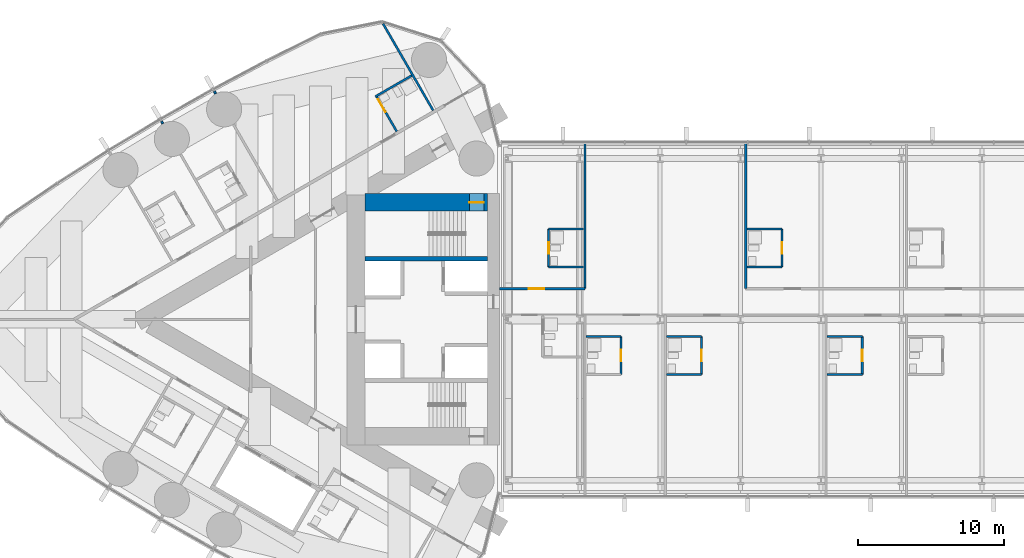
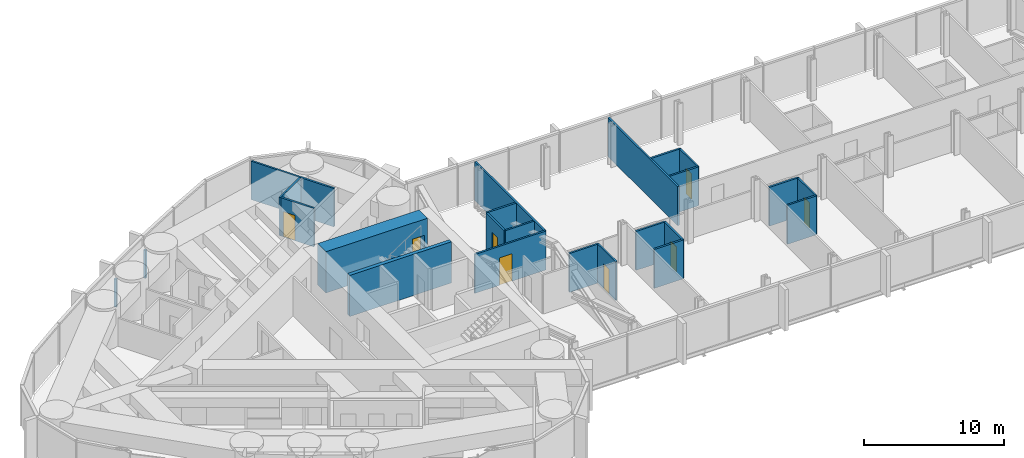
# One storey, part 17 of 24: 24 walls, 8 doors, 8 openings.
"""IFC4 building model written with IfcOpenShell, lengths in metres."""

import ifcopenshell
import ifcopenshell.guid

model = None  # the IFC model being written
_history = None  # IfcOwnerHistory: only IFC2X3 demands one
_inside = {}  # id of a spatial element -> (the spatial element, [elements in it])
_under = {}  # id of a project, library or spatial element -> (it, [spatial elements below it])
_declared = {}  # id of a project -> (the project, [libraries it declares])
_typed = {}  # id of a type object -> (the type object, [elements of that type])
_made_of = {}  # id of a material, layer set ... -> (it, [elements and type objects made of it])


def new_model(schema):
    """Start an empty IFC model of exactly this schema.

    Asked for "IFC4X3", IfcOpenShell would pick the latest addendum, in which some entities
    have other attributes; the version numbers below select the first issue.
    IFC2X3 requires an IfcOwnerHistory on every rooted entity: one is made here for all.
    """
    global model, _history
    if schema == "IFC4X3":
        model = ifcopenshell.file(schema_version=(4, 3, 0, 0))
    else:
        model = ifcopenshell.file(schema=schema)
    _inside.clear()
    _under.clear()
    _declared.clear()
    _typed.clear()
    _made_of.clear()
    _history = None
    if model.schema == "IFC2X3":
        org = make("IfcOrganization", Name="unknown")
        user = make(
            "IfcPersonAndOrganization",
            ThePerson=make("IfcPerson", FamilyName="unknown"),
            TheOrganization=org,
        )
        app = make(
            "IfcApplication",
            ApplicationDeveloper=org,
            Version="unknown",
            ApplicationFullName="unknown",
            ApplicationIdentifier="unknown",
        )
        _history = make(
            "IfcOwnerHistory",
            OwningUser=user,
            OwningApplication=app,
            ChangeAction="ADDED",
            CreationDate=0,
        )
    return model


def make(cls, **values):
    """One entity of the class cls with the attributes given. An attribute that is None is left unset."""
    return model.create_entity(
        cls, **{name: value for name, value in values.items() if value is not None}
    )


def rooted(cls, **values):
    """An entity with a GlobalId (a new one), such as an element, a storey or a relation."""
    return make(cls, GlobalId=ifcopenshell.guid.new(), OwnerHistory=_history, **values)


def si_unit(unit_type, name, prefix=None):
    """IfcSIUnit, for example si_unit("LENGTHUNIT", "METRE", prefix="MILLI")."""
    return make("IfcSIUnit", UnitType=unit_type, Prefix=prefix, Name=name)


def assignment(units):
    """IfcUnitAssignment: the units of a project."""
    return None if units is None else make("IfcUnitAssignment", Units=units)


def point(xyz):
    """IfcCartesianPoint."""
    return None if xyz is None else make("IfcCartesianPoint", Coordinates=xyz)


def direction(xyz):
    """IfcDirection."""
    return None if xyz is None else make("IfcDirection", DirectionRatios=xyz)


def frame(location, z_axis=None, x_axis=None):
    """IfcAxis2Placement3D, a coordinate frame: its origin and axes. An axis left out is left unset."""
    return make(
        "IfcAxis2Placement3D",
        Location=point(location),
        Axis=direction(z_axis),
        RefDirection=direction(x_axis),
    )


def frame_2d(location, x_axis=None):
    """IfcAxis2Placement2D, a coordinate frame in the plane: its origin and x axis."""
    return make(
        "IfcAxis2Placement2D", Location=point(location), RefDirection=direction(x_axis)
    )


def origin():
    """The frame at (0, 0, 0) with its axes left unset."""
    return frame((0.0, 0.0, 0.0))


def place(relative_to, where):
    """IfcLocalPlacement: puts the frame where relative to a parent placement (None: the world)."""
    return make(
        "IfcLocalPlacement", PlacementRelTo=relative_to, RelativePlacement=where
    )


def context(
    kind, dimensions, precision=None, world=None, true_north=None, identifier=None
):
    """IfcGeometricRepresentationContext, for example the 3D "Model" context."""
    return make(
        "IfcGeometricRepresentationContext",
        ContextIdentifier=identifier,
        ContextType=kind,
        CoordinateSpaceDimension=dimensions,
        Precision=precision,
        WorldCoordinateSystem=world,
        TrueNorth=true_north,
    )


def subcontext(parent, identifier, kind, view, scale=None):
    """IfcGeometricRepresentationSubContext, for example "Body" below "Model"."""
    return make(
        "IfcGeometricRepresentationSubContext",
        ContextIdentifier=identifier,
        ContextType=kind,
        ParentContext=parent,
        TargetScale=scale,
        TargetView=view,
    )


def project(units=None, contexts=None):
    """IfcProject with its units and contexts."""
    return rooted(
        "IfcProject",
        Name="project",
        RepresentationContexts=contexts,
        UnitsInContext=assignment(units),
    )


def spatial(cls, under=None, at=None, **own):
    """A site, building, storey or space (cls), placed at a placement, below another one or the project."""
    s = rooted(cls, ObjectPlacement=at, **own)
    if under is not None:
        _under.setdefault(under.id(), (under, []))[1].append(s)
    return s


def profile(cls, at=None, kind="AREA", **sizes):
    """A parametric profile (cls). Its sizes go by their IFC names, for example OverallWidth=200.0."""
    return make(cls, ProfileType=kind, Position=at, **sizes)


def rectangle(**sizes):
    """IfcRectangleProfileDef."""
    return profile("IfcRectangleProfileDef", **sizes)


def extrude(swept, where, along, depth):
    """IfcExtrudedAreaSolid: the profile swept, set in the frame where, extruded along a direction by depth."""
    return make(
        "IfcExtrudedAreaSolid",
        SweptArea=swept,
        Position=where,
        ExtrudedDirection=direction(along),
        Depth=depth,
    )


def shape(context_of_items, identifier, shape_type, items):
    """IfcShapeRepresentation: the items that make up one representation, for example the "Body"."""
    return make(
        "IfcShapeRepresentation",
        ContextOfItems=context_of_items,
        RepresentationIdentifier=identifier,
        RepresentationType=shape_type,
        Items=items,
    )


def material(Name=None, Category=None):
    """IfcMaterial."""
    return make("IfcMaterial", Name=Name, Category=Category)


def layer(
    of_material, thickness, ventilated=None, Name=None, Category=None, Priority=None
):
    """IfcMaterialLayer: one layer of a wall or slab, of a material (None: an air gap)."""
    return make(
        "IfcMaterialLayer",
        Material=of_material,
        LayerThickness=thickness,
        IsVentilated=ventilated,
        Name=Name,
        Category=Category,
        Priority=Priority,
    )


def layer_set(layers, Name=None):
    """IfcMaterialLayerSet."""
    return make("IfcMaterialLayerSet", MaterialLayers=layers, LayerSetName=Name)


def made_of(thing, what):
    """Note that an element or type object is made of a material, layer set ...; save() writes the relation."""
    if what is not None:
        _made_of.setdefault(what.id(), (what, []))[1].append(thing)
    return thing


def type_object(cls, material=None, **own):
    """A type object (cls), such as IfcWallType, which elements share."""
    return made_of(rooted(cls, **own), material)


def element(
    cls,
    number,
    at=None,
    inside=None,
    cuts=None,
    type_object=None,
    material=None,
    context=None,
    identifier="Body",
    shape_type=None,
    held_by="IfcProductDefinitionShape",
    body=None,
    shapes=None,
    **own,
):
    """One element of the class cls, such as IfcWall. Its Tag is "e" and its number.

    at: its placement. inside: the storey or other place that contains it. cuts: it is an
    opening in that element (IfcRelVoidsElement). A single representation is given by context,
    identifier, shape_type and body (its items); several are given by shapes. held_by: the class
    of the entity that holds the representations. save() writes the other relations.
    """
    e = rooted(cls, Tag="e%d" % number, ObjectPlacement=at, **own)
    if body is not None:
        shapes = [shape(context, identifier, shape_type, body)]
    if shapes is not None:
        e.Representation = make(held_by, Representations=shapes)
    if inside is not None:
        _inside.setdefault(inside.id(), (inside, []))[1].append(e)
    if cuts is not None:
        rooted(
            "IfcRelVoidsElement", RelatingBuildingElement=cuts, RelatedOpeningElement=e
        )
    if type_object is not None:
        _typed.setdefault(type_object.id(), (type_object, []))[1].append(e)
    return made_of(e, material)


def fill(opening, filler):
    """IfcRelFillsElement: the door or window that sits in an opening."""
    return rooted(
        "IfcRelFillsElement",
        RelatingOpeningElement=opening,
        RelatedBuildingElement=filler,
    )


def aggregate(whole, parts):
    """IfcRelAggregates: a whole, such as a stair, and the parts it consists of."""
    return rooted("IfcRelAggregates", RelatingObject=whole, RelatedObjects=parts)


def save(model, path):
    """Write the relations noted so far, then the file.

    IfcRelAggregates (storeys below a building ...), IfcRelContainedInSpatialStructure (elements
    in a storey), IfcRelDefinesByType, IfcRelAssociatesMaterial and IfcRelDeclares: one each for
    every whole, place, type object, material and project.
    """
    for whole, parts in _under.values():
        aggregate(whole, parts)
    for where, things in _inside.values():
        rooted(
            "IfcRelContainedInSpatialStructure",
            RelatedElements=things,
            RelatingStructure=where,
        )
    for kind, things in _typed.values():
        rooted("IfcRelDefinesByType", RelatedObjects=things, RelatingType=kind)
    for what, things in _made_of.values():
        rooted("IfcRelAssociatesMaterial", RelatedObjects=things, RelatingMaterial=what)
    for by, libraries in _declared.values():
        rooted("IfcRelDeclares", RelatingContext=by, RelatedDefinitions=libraries)
    model.write(path)


model = new_model("IFC4")

# Units and contexts
model_context = context("Model", 3, precision=1e-05, world=origin(), true_north=direction((0.0, 1.0)))
body_context = subcontext(model_context, "Body", "Model", "MODEL_VIEW")
ifc_project = project(units=[si_unit("LENGTHUNIT", "METRE"), si_unit("AREAUNIT", "SQUARE_METRE"), si_unit("VOLUMEUNIT", "CUBIC_METRE"), si_unit("PLANEANGLEUNIT", "RADIAN"), si_unit("MASSUNIT", "GRAM", prefix="KILO")], contexts=[model_context])

# Site, building, storey
site_placement = place(None, origin())
site = spatial("IfcSite", under=ifc_project, at=site_placement, CompositionType="ELEMENT")
building_placement = place(site_placement, origin())
building = spatial("IfcBuilding", under=site, at=building_placement, Name="Lancet Gate Hotel", CompositionType="ELEMENT")
storey_placement = place(building_placement, frame((0.0, 0.0, 244.10009765625)))
storey = spatial("IfcBuildingStorey", under=building, at=storey_placement, Name="L65", CompositionType="ELEMENT", Elevation=244.10009765625)

# Wall
ifc_material_1 = material(Name="Moisture resistant board partition")
ifc_layer_1 = layer(ifc_material_1, 0.14990234375)
ifc_layer_set_1 = layer_set([ifc_layer_1], Name="Bathroom wall 150")
wall_type_1 = type_object("IfcWallType", Name="Bathroom wall 150", PredefinedType="PARTITIONING", material=ifc_layer_set_1)
wall_1_placement = place(storey_placement, frame((-33.486572265625, 16.6748046875, 0.0), z_axis=(0.0, 0.0, 1.0), x_axis=(-0.866039941686, -0.499974818771, 0.0)))
element("IfcWall", 1, at=wall_1_placement, inside=storey, type_object=wall_type_1, Name="T1 bathroom wall 150 L65", PredefinedType="PARTITIONING", context=body_context, shape_type="SweptSolid", body=[
    extrude(rectangle(XDim=2.875244140625, YDim=0.14990234375, at=frame_2d((1.4375, 0.0))), origin(), (0.0, 0.0, 1.0), 3.349853515625),
])

# Wall, opening, door
wall_2_placement = place(storey_placement, frame((-34.511474609375, 12.849853515625, 0.0), z_axis=(0.0, 0.0, 1.0), x_axis=(-0.500011755427, 0.866018616679, 0.0)))
wall_2 = element("IfcWall", 2, at=wall_2_placement, inside=storey, type_object=wall_type_1, Name="T1 bathroom wall 150 L65", PredefinedType="PARTITIONING", context=body_context, shape_type="SweptSolid", body=[
    extrude(rectangle(XDim=2.80029296875, YDim=0.14990234375, at=frame_2d((1.400146484375, 0.0))), origin(), (0.0, 0.0, 1.0), 3.349853515625),
])
opening_1_placement = place(wall_2_placement, frame((1.550048828125, 0.0, 0.0)))
opening_1 = element("IfcOpeningElement", 3, at=opening_1_placement, cuts=wall_2, Name="Opening 6502-B", PredefinedType="OPENING", context=body_context, shape_type="SweptSolid", body=[
    extrude(rectangle(XDim=1.0, YDim=2.199951171875, at=frame_2d((0.5, 1.10009765625))), frame((0.0, 0.0849609375, 0.0), z_axis=(0.0, -1.0, 0.0), x_axis=(1.0, 0.0, 0.0)), (0.0, 0.0, 1.0), 0.169921875),
])
ifc_material_2 = material(Name="Timber door set", Category="wood")
door_type_1 = type_object("IfcDoorType", Name="Accessible en-suite door 1000", OperationType="SINGLE_SWING_RIGHT", PredefinedType="DOOR", material=ifc_material_2)
door_1_placement = place(opening_1_placement, origin())
door_1 = element("IfcDoor", 4, at=door_1_placement, inside=storey, type_object=door_type_1, Name="6502-B", OperationType="SINGLE_SWING_RIGHT", OverallHeight=2.199951171875, OverallWidth=1.0, PredefinedType="DOOR", context=body_context, shape_type="SweptSolid", body=[
    extrude(rectangle(XDim=1.0, YDim=2.199951171875, at=frame_2d((0.5, 1.10009765625))), frame((0.0, 0.02490234375, 0.0), z_axis=(0.0, -1.0, 0.0), x_axis=(1.0, 0.0, 0.0)), (0.0, 0.0, 1.0), 0.050048828125),
])
fill(opening_1, door_1)

# Wall
wall_3_placement = place(storey_placement, frame((-21.574951171875, -1.175048828125, 0.0), z_axis=(0.0, 0.0, 1.0), x_axis=(1.0, 0.0, 0.0)))
element("IfcWall", 5, at=wall_3_placement, inside=storey, type_object=wall_type_1, Name="Bridge block bathroom wall 150 L65", PredefinedType="PARTITIONING", context=body_context, shape_type="SweptSolid", body=[
    extrude(rectangle(XDim=2.39990234375, YDim=0.14990234375, at=frame_2d((1.199951171875, 0.0))), origin(), (0.0, 0.0, 1.0), 3.39990234375),
])

# Wall, opening, door
wall_4_placement = place(storey_placement, frame((-19.175048828125, -3.77490234375, 0.0), z_axis=(0.0, 0.0, 1.0), x_axis=(0.0, 1.0, 0.0)))
wall_4 = element("IfcWall", 6, at=wall_4_placement, inside=storey, type_object=wall_type_1, Name="Bridge block bathroom wall 150 L65", PredefinedType="PARTITIONING", context=body_context, shape_type="SweptSolid", body=[
    extrude(rectangle(XDim=2.599853515625, YDim=0.14990234375, at=frame_2d((1.2998046875, 0.0))), origin(), (0.0, 0.0, 1.0), 3.39990234375),
])
opening_2_placement = place(wall_4_placement, frame((0.89990234375, 0.0, 0.0)))
opening_2 = element("IfcOpeningElement", 7, at=opening_2_placement, cuts=wall_4, Name="Opening B6502-B", PredefinedType="OPENING", context=body_context, shape_type="SweptSolid", body=[
    extrude(rectangle(XDim=0.800048828125, YDim=2.199951171875, at=frame_2d((0.39990234375, 1.10009765625))), frame((0.0, 0.0849609375, 0.0), z_axis=(0.0, -1.0, 0.0), x_axis=(1.0, 0.0, 0.0)), (0.0, 0.0, 1.0), 0.169921875),
])
ifc_material_3 = material(Name="Timber door set", Category="wood")
door_type_2 = type_object("IfcDoorType", Name="Bathroom door 800", OperationType="SINGLE_SWING_RIGHT", PredefinedType="DOOR", material=ifc_material_3)
door_2_placement = place(opening_2_placement, origin())
door_2 = element("IfcDoor", 8, at=door_2_placement, inside=storey, type_object=door_type_2, Name="B6502-B", OperationType="SINGLE_SWING_RIGHT", OverallHeight=2.199951171875, OverallWidth=0.800048828125, PredefinedType="DOOR", context=body_context, shape_type="SweptSolid", body=[
    extrude(rectangle(XDim=0.800048828125, YDim=2.199951171875, at=frame_2d((0.39990234375, 1.10009765625))), frame((0.0, 0.02490234375, 0.0), z_axis=(0.0, -1.0, 0.0), x_axis=(1.0, 0.0, 0.0)), (0.0, 0.0, 1.0), 0.050048828125),
])
fill(opening_2, door_2)

# Walls
for number, where, z_axis, x_axis, name in (
    (9, (-16.074951171875, -3.77490234375, 0.0), (0.0, 0.0, 1.0), (1.0, 0.0, 0.0), "Bridge block bathroom wall 150 L65"),
    (10, (-16.074951171875, -1.175048828125, 0.0), (0.0, 0.0, 1.0), (1.0, 0.0, 0.0), "Bridge block bathroom wall 150 L65"),
):
    element("IfcWall", number, at=place(storey_placement, frame(where, z_axis=z_axis, x_axis=x_axis)), inside=storey, type_object=wall_type_1, Name=name, PredefinedType="PARTITIONING", context=body_context, shape_type="SweptSolid", body=[
        extrude(rectangle(XDim=2.39990234375, YDim=0.14990234375, at=frame_2d((1.199951171875, 0.0))), origin(), (0.0, 0.0, 1.0), 3.39990234375),
    ])

# Wall, opening, door
wall_5_placement = place(storey_placement, frame((-13.675048828125, -3.77490234375, 0.0), z_axis=(0.0, 0.0, 1.0), x_axis=(0.0, 1.0, 0.0)))
wall_5 = element("IfcWall", 11, at=wall_5_placement, inside=storey, type_object=wall_type_1, Name="Bridge block bathroom wall 150 L65", PredefinedType="PARTITIONING", context=body_context, shape_type="SweptSolid", body=[
    extrude(rectangle(XDim=2.599853515625, YDim=0.14990234375, at=frame_2d((1.2998046875, 0.0))), origin(), (0.0, 0.0, 1.0), 3.39990234375),
])
opening_3_placement = place(wall_5_placement, frame((0.89990234375, 0.0, 0.0)))
opening_3 = element("IfcOpeningElement", 12, at=opening_3_placement, cuts=wall_5, Name="Opening B6503-B", PredefinedType="OPENING", context=body_context, shape_type="SweptSolid", body=[
    extrude(rectangle(XDim=0.800048828125, YDim=2.199951171875, at=frame_2d((0.39990234375, 1.10009765625))), frame((0.0, 0.0849609375, 0.0), z_axis=(0.0, -1.0, 0.0), x_axis=(1.0, 0.0, 0.0)), (0.0, 0.0, 1.0), 0.169921875),
])
door_3_placement = place(opening_3_placement, origin())
door_3 = element("IfcDoor", 13, at=door_3_placement, inside=storey, type_object=door_type_2, Name="B6503-B", OperationType="SINGLE_SWING_RIGHT", OverallHeight=2.199951171875, OverallWidth=0.800048828125, PredefinedType="DOOR", context=body_context, shape_type="SweptSolid", body=[
    extrude(rectangle(XDim=0.800048828125, YDim=2.199951171875, at=frame_2d((0.39990234375, 1.10009765625))), frame((0.0, 0.02490234375, 0.0), z_axis=(0.0, -1.0, 0.0), x_axis=(1.0, 0.0, 0.0)), (0.0, 0.0, 1.0), 0.050048828125),
])
fill(opening_3, door_3)

# Walls
for number, where, z_axis, x_axis, name in (
    (14, (-5.074951171875, -3.77490234375, 0.0), (0.0, 0.0, 1.0), (1.0, 0.0, 0.0), "Bridge block bathroom wall 150 L65"),
    (15, (-5.074951171875, -1.175048828125, 0.0), (0.0, 0.0, 1.0), (1.0, 0.0, 0.0), "Bridge block bathroom wall 150 L65"),
):
    element("IfcWall", number, at=place(storey_placement, frame(where, z_axis=z_axis, x_axis=x_axis)), inside=storey, type_object=wall_type_1, Name=name, PredefinedType="PARTITIONING", context=body_context, shape_type="SweptSolid", body=[
        extrude(rectangle(XDim=2.39990234375, YDim=0.14990234375, at=frame_2d((1.199951171875, 0.0))), origin(), (0.0, 0.0, 1.0), 3.39990234375),
    ])

# Wall, opening, door
wall_6_placement = place(storey_placement, frame((-2.675048828125, -3.77490234375, 0.0), z_axis=(0.0, 0.0, 1.0), x_axis=(0.0, 1.0, 0.0)))
wall_6 = element("IfcWall", 16, at=wall_6_placement, inside=storey, type_object=wall_type_1, Name="Bridge block bathroom wall 150 L65", PredefinedType="PARTITIONING", context=body_context, shape_type="SweptSolid", body=[
    extrude(rectangle(XDim=2.599853515625, YDim=0.14990234375, at=frame_2d((1.2998046875, 0.0))), origin(), (0.0, 0.0, 1.0), 3.39990234375),
])
opening_4_placement = place(wall_6_placement, frame((0.89990234375, 0.0, 0.0)))
opening_4 = element("IfcOpeningElement", 17, at=opening_4_placement, cuts=wall_6, Name="Opening B6505-B", PredefinedType="OPENING", context=body_context, shape_type="SweptSolid", body=[
    extrude(rectangle(XDim=0.800048828125, YDim=2.199951171875, at=frame_2d((0.39990234375, 1.10009765625))), frame((0.0, 0.0849609375, 0.0), z_axis=(0.0, -1.0, 0.0), x_axis=(1.0, 0.0, 0.0)), (0.0, 0.0, 1.0), 0.169921875),
])
door_4_placement = place(opening_4_placement, origin())
door_4 = element("IfcDoor", 18, at=door_4_placement, inside=storey, type_object=door_type_2, Name="B6505-B", OperationType="SINGLE_SWING_RIGHT", OverallHeight=2.199951171875, OverallWidth=0.800048828125, PredefinedType="DOOR", context=body_context, shape_type="SweptSolid", body=[
    extrude(rectangle(XDim=0.800048828125, YDim=2.199951171875, at=frame_2d((0.39990234375, 1.10009765625))), frame((0.0, 0.02490234375, 0.0), z_axis=(0.0, -1.0, 0.0), x_axis=(1.0, 0.0, 0.0)), (0.0, 0.0, 1.0), 0.050048828125),
])
fill(opening_4, door_4)

# Walls
for number, where, z_axis, x_axis, name in (
    (19, (-24.125, 6.175048828125, 0.0), (0.0, 0.0, 1.0), (1.0, 0.0, 0.0), "Bridge block bathroom wall 150 L65"),
    (20, (-24.125, 3.574951171875, 0.0), (0.0, 0.0, 1.0), (1.0, 0.0, 0.0), "Bridge block bathroom wall 150 L65"),
):
    element("IfcWall", number, at=place(storey_placement, frame(where, z_axis=z_axis, x_axis=x_axis)), inside=storey, type_object=wall_type_1, Name=name, PredefinedType="PARTITIONING", context=body_context, shape_type="SweptSolid", body=[
        extrude(rectangle(XDim=2.39990234375, YDim=0.14990234375, at=frame_2d((1.199951171875, 0.0))), origin(), (0.0, 0.0, 1.0), 3.39990234375),
    ])

# Wall, opening, door
wall_7_placement = place(storey_placement, frame((-24.125, 3.574951171875, 0.0), z_axis=(0.0, 0.0, 1.0), x_axis=(0.0, 1.0, 0.0)))
wall_7 = element("IfcWall", 21, at=wall_7_placement, inside=storey, type_object=wall_type_1, Name="Bridge block bathroom wall 150 L65", PredefinedType="PARTITIONING", context=body_context, shape_type="SweptSolid", body=[
    extrude(rectangle(XDim=2.60009765625, YDim=0.14990234375, at=frame_2d((1.300048828125, 0.0))), origin(), (0.0, 0.0, 1.0), 3.39990234375),
])
opening_5_placement = place(wall_7_placement, frame((0.89990234375, 0.0, 0.0)))
opening_5 = element("IfcOpeningElement", 22, at=opening_5_placement, cuts=wall_7, Name="Opening B6511-B", PredefinedType="OPENING", context=body_context, shape_type="SweptSolid", body=[
    extrude(rectangle(XDim=0.800048828125, YDim=2.199951171875, at=frame_2d((0.39990234375, 1.10009765625))), frame((0.0, 0.0849609375, 0.0), z_axis=(0.0, -1.0, 0.0), x_axis=(1.0, 0.0, 0.0)), (0.0, 0.0, 1.0), 0.169921875),
])
door_5_placement = place(opening_5_placement, origin())
door_5 = element("IfcDoor", 23, at=door_5_placement, inside=storey, type_object=door_type_2, Name="B6511-B", OperationType="SINGLE_SWING_RIGHT", OverallHeight=2.199951171875, OverallWidth=0.800048828125, PredefinedType="DOOR", context=body_context, shape_type="SweptSolid", body=[
    extrude(rectangle(XDim=0.800048828125, YDim=2.199951171875, at=frame_2d((0.39990234375, 1.10009765625))), frame((0.0, 0.02490234375, 0.0), z_axis=(0.0, -1.0, 0.0), x_axis=(1.0, 0.0, 0.0)), (0.0, 0.0, 1.0), 0.050048828125),
])
fill(opening_5, door_5)

# Walls
for number, where, z_axis, x_axis, name in (
    (24, (-10.574951171875, 6.175048828125, 0.0), (0.0, 0.0, 1.0), (1.0, 0.0, 0.0), "Bridge block bathroom wall 150 L65"),
    (25, (-10.574951171875, 3.574951171875, 0.0), (0.0, 0.0, 1.0), (1.0, 0.0, 0.0), "Bridge block bathroom wall 150 L65"),
):
    element("IfcWall", number, at=place(storey_placement, frame(where, z_axis=z_axis, x_axis=x_axis)), inside=storey, type_object=wall_type_1, Name=name, PredefinedType="PARTITIONING", context=body_context, shape_type="SweptSolid", body=[
        extrude(rectangle(XDim=2.39990234375, YDim=0.14990234375, at=frame_2d((1.199951171875, 0.0))), origin(), (0.0, 0.0, 1.0), 3.39990234375),
    ])

# Wall, opening, door
wall_8_placement = place(storey_placement, frame((-8.175048828125, 3.574951171875, 0.0), z_axis=(0.0, 0.0, 1.0), x_axis=(0.0, 1.0, 0.0)))
wall_8 = element("IfcWall", 26, at=wall_8_placement, inside=storey, type_object=wall_type_1, Name="Bridge block bathroom wall 150 L65", PredefinedType="PARTITIONING", context=body_context, shape_type="SweptSolid", body=[
    extrude(rectangle(XDim=2.60009765625, YDim=0.14990234375, at=frame_2d((1.300048828125, 0.0))), origin(), (0.0, 0.0, 1.0), 3.39990234375),
])
opening_6_placement = place(wall_8_placement, frame((0.89990234375, 0.0, 0.0)))
opening_6 = element("IfcOpeningElement", 27, at=opening_6_placement, cuts=wall_8, Name="Opening B6514-B", PredefinedType="OPENING", context=body_context, shape_type="SweptSolid", body=[
    extrude(rectangle(XDim=0.800048828125, YDim=2.199951171875, at=frame_2d((0.39990234375, 1.10009765625))), frame((0.0, 0.0849609375, 0.0), z_axis=(0.0, -1.0, 0.0), x_axis=(1.0, 0.0, 0.0)), (0.0, 0.0, 1.0), 0.169921875),
])
door_6_placement = place(opening_6_placement, origin())
door_6 = element("IfcDoor", 28, at=door_6_placement, inside=storey, type_object=door_type_2, Name="B6514-B", OperationType="SINGLE_SWING_RIGHT", OverallHeight=2.199951171875, OverallWidth=0.800048828125, PredefinedType="DOOR", context=body_context, shape_type="SweptSolid", body=[
    extrude(rectangle(XDim=0.800048828125, YDim=2.199951171875, at=frame_2d((0.39990234375, 1.10009765625))), frame((0.0, 0.02490234375, 0.0), z_axis=(0.0, -1.0, 0.0), x_axis=(1.0, 0.0, 0.0)), (0.0, 0.0, 1.0), 0.050048828125),
])
fill(opening_6, door_6)

ifc_material_4 = material(Name="Gypsum board partition")
ifc_layer_2 = layer(ifc_material_4, 0.14990234375)
ifc_layer_set_2 = layer_set([ifc_layer_2], Name="Block corridor wall 150")
wall_type_2 = type_object("IfcWallType", Name="Block corridor wall 150", PredefinedType="PARTITIONING", material=ifc_layer_set_2)
wall_9_placement = place(storey_placement, frame((-27.5, 2.10009765625, 0.0), z_axis=(0.0, 0.0, 1.0), x_axis=(1.0, 0.0, 0.0)))
wall_9 = element("IfcWall", 29, at=wall_9_placement, inside=storey, type_object=wall_type_2, Name="Bridge block block corridor wall 150 L65", PredefinedType="PARTITIONING", context=body_context, shape_type="SweptSolid", body=[
    extrude(rectangle(XDim=5.85009765625, YDim=0.14990234375, at=frame_2d((2.925048828125, 0.0))), origin(), (0.0, 0.0, 1.0), 3.39990234375),
])
opening_7_placement = place(wall_9_placement, frame((2.02490234375, 0.0, 0.0)))
opening_7 = element("IfcOpeningElement", 30, at=opening_7_placement, cuts=wall_9, Name="Opening B6511", PredefinedType="OPENING", context=body_context, shape_type="SweptSolid", body=[
    extrude(rectangle(XDim=1.050048828125, YDim=2.39990234375, at=frame_2d((0.52490234375, 1.199951171875))), frame((0.0, 0.0849609375, 0.0), z_axis=(0.0, -1.0, 0.0), x_axis=(1.0, 0.0, 0.0)), (0.0, 0.0, 1.0), 0.169921875),
])
ifc_material_5 = material(Name="Timber door set", Category="wood")
door_type_3 = type_object("IfcDoorType", Name="Suite entry door 1050", OperationType="SINGLE_SWING_LEFT", PredefinedType="DOOR", material=ifc_material_5)
door_7_placement = place(opening_7_placement, origin())
door_7 = element("IfcDoor", 31, at=door_7_placement, inside=storey, type_object=door_type_3, Name="B6511", OperationType="SINGLE_SWING_LEFT", OverallHeight=2.39990234375, OverallWidth=1.050048828125, PredefinedType="DOOR", context=body_context, shape_type="SweptSolid", body=[
    extrude(rectangle(XDim=1.050048828125, YDim=2.39990234375, at=frame_2d((0.52490234375, 1.199951171875))), frame((0.0, 0.02490234375, 0.0), z_axis=(0.0, -1.0, 0.0), x_axis=(1.0, 0.0, 0.0)), (0.0, 0.0, 1.0), 0.050048828125),
])
fill(opening_7, door_7)

ifc_material_6 = material(Name="Concrete C70/85", Category="concrete")
ifc_layer_3 = layer(ifc_material_6, 1.199951171875)
ifc_layer_set_3 = layer_set([ifc_layer_3], Name="Core wall 1200")
wall_type_3 = type_object("IfcWallType", Name="Core wall 1200", PredefinedType="SHEAR", material=ifc_layer_set_3)
wall_10_placement = place(storey_placement, frame((-28.300048828125, 8.0, 0.0), z_axis=(0.0, 0.0, 1.0), x_axis=(-1.0, 0.0, 0.0)))
wall_10 = element("IfcWall", 32, at=wall_10_placement, inside=storey, type_object=wall_type_3, Name="T1 core wall side-S L65", PredefinedType="SHEAR", context=body_context, shape_type="SweptSolid", body=[
    extrude(rectangle(XDim=8.39990234375, YDim=1.199951171875, at=frame_2d((4.199951171875, 0.0))), origin(), (0.0, 0.0, 1.0), 3.599853515625),
])
opening_8_placement = place(wall_10_placement, frame((0.25, 0.0, 0.0)))
opening_8 = element("IfcOpeningElement", 33, at=opening_8_placement, cuts=wall_10, Name="Opening T1-L65-ST1", PredefinedType="OPENING", context=body_context, shape_type="SweptSolid", body=[
    extrude(rectangle(XDim=1.0, YDim=2.199951171875, at=frame_2d((0.5, 1.10009765625))), frame((0.0, 0.60986328125, 0.0), z_axis=(0.0, -1.0, 0.0), x_axis=(1.0, 0.0, 0.0)), (0.0, 0.0, 1.0), 1.219970703125),
])
ifc_material_7 = material(Name="Timber door set", Category="wood")
door_type_4 = type_object("IfcDoorType", Name="Stair door 1000", OperationType="SINGLE_SWING_RIGHT", PredefinedType="DOOR", material=ifc_material_7)
door_8_placement = place(opening_8_placement, origin())
door_8 = element("IfcDoor", 34, at=door_8_placement, inside=storey, type_object=door_type_4, Name="T1-L65-ST1", OperationType="SINGLE_SWING_RIGHT", OverallHeight=2.199951171875, OverallWidth=1.0, PredefinedType="DOOR", context=body_context, shape_type="SweptSolid", body=[
    extrude(rectangle(XDim=1.0, YDim=2.199951171875, at=frame_2d((0.5, 1.10009765625))), frame((0.0, 0.02490234375, 0.0), z_axis=(0.0, -1.0, 0.0), x_axis=(1.0, 0.0, 0.0)), (0.0, 0.0, 1.0), 0.050048828125),
])
fill(opening_8, door_8)

# Walls
ifc_material_8 = material(Name="Gypsum board partition")
ifc_layer_4 = layer(ifc_material_8, 0.14990234375)
ifc_layer_set_4 = layer_set([ifc_layer_4], Name="Party wall 150")
wall_type_4 = type_object("IfcWallType", Name="Party wall 150", PredefinedType="PARTITIONING", material=ifc_layer_set_4)
wall_11_placement = place(storey_placement, frame((-32.021728515625, 14.287353515625, 0.0), z_axis=(0.0, 0.0, 1.0), x_axis=(-0.50000019414, 0.866025291697, 0.0)))
element("IfcWall", 35, at=wall_11_placement, inside=storey, type_object=wall_type_4, Name="T1 party wall 150 L65", PredefinedType="PARTITIONING", context=body_context, shape_type="SweptSolid", body=[
    extrude(rectangle(XDim=6.84814453125, YDim=0.14990234375, at=frame_2d((3.424072265625, 0.0))), origin(), (0.0, 0.0, 1.0), 3.349853515625),
])
wall_12_placement = place(storey_placement, frame((-46.89794921875, 15.438720703125, 0.0), z_axis=(0.0, 0.0, 1.0), x_axis=(-0.500232303069, 0.865891241997, 0.0)))
element("IfcWall", 36, at=wall_12_placement, inside=storey, type_object=wall_type_4, Name="T1 party wall 150 L65", PredefinedType="PARTITIONING", context=body_context, shape_type="SweptSolid", body=[
    extrude(rectangle(XDim=0.1796875, YDim=0.14990234375, at=frame_2d((0.08984375, 0.0))), origin(), (0.0, 0.0, 1.0), 2.449951171875),
])
wall_13_placement = place(storey_placement, frame((-50.507568359375, 13.392333984375, 0.0), z_axis=(0.0, 0.0, 1.0), x_axis=(-0.499644091975, 0.866230789891, 0.0)))
element("IfcWall", 37, at=wall_13_placement, inside=storey, type_object=wall_type_4, Name="T1 party wall 150 L65", PredefinedType="PARTITIONING", context=body_context, shape_type="SweptSolid", body=[
    extrude(rectangle(XDim=0.179931640625, YDim=0.14990234375, at=frame_2d((0.08984375, 0.0))), origin(), (0.0, 0.0, 1.0), 2.449951171875),
])
for number, where, z_axis, x_axis, name in (
    (38, (-21.64990234375, 2.10009765625, 0.0), (0.0, 0.0, 1.0), (0.0, 1.0, 0.0), "Bridge block party wall 150 L65"),
    (39, (-10.64990234375, 2.10009765625, 0.0), (0.0, 0.0, 1.0), (0.0, 1.0, 0.0), "Bridge block party wall 150 L65"),
):
    element("IfcWall", number, at=place(storey_placement, frame(where, z_axis=z_axis, x_axis=x_axis)), inside=storey, type_object=wall_type_4, Name=name, PredefinedType="PARTITIONING", context=body_context, shape_type="SweptSolid", body=[
        extrude(rectangle(XDim=9.969970703125, YDim=0.14990234375, at=frame_2d((4.98486328125, 0.0))), origin(), (0.0, 0.0, 1.0), 3.39990234375),
    ])
ifc_material_9 = material(Name="Concrete C50/60", Category="concrete")
ifc_layer_5 = layer(ifc_material_9, 0.300048828125)
ifc_layer_set_5 = layer_set([ifc_layer_5], Name="Stair enclosure wall 300")
wall_type_5 = type_object("IfcWallType", Name="Stair enclosure wall 300", PredefinedType="SHEAR", material=ifc_layer_set_5)
wall_14_placement = place(storey_placement, frame((-28.300048828125, 4.14990234375, 0.0), z_axis=(0.0, 0.0, 1.0), x_axis=(-1.0, 0.0, 0.0)))
element("IfcWall", 40, at=wall_14_placement, inside=storey, type_object=wall_type_5, Name="T1 core wall stair-S L65", PredefinedType="SHEAR", context=body_context, shape_type="SweptSolid", body=[
    extrude(rectangle(XDim=8.39990234375, YDim=0.300048828125, at=frame_2d((4.199951171875, 0.0))), origin(), (0.0, 0.0, 1.0), 3.599853515625),
])

save(model, "model.ifc")
